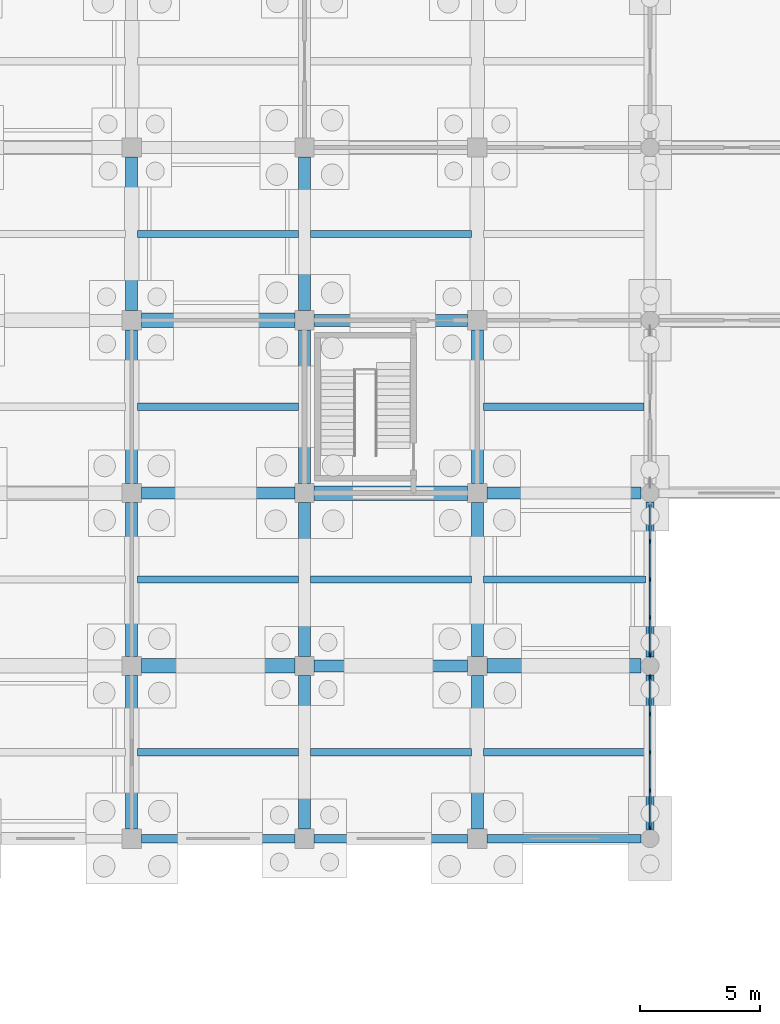
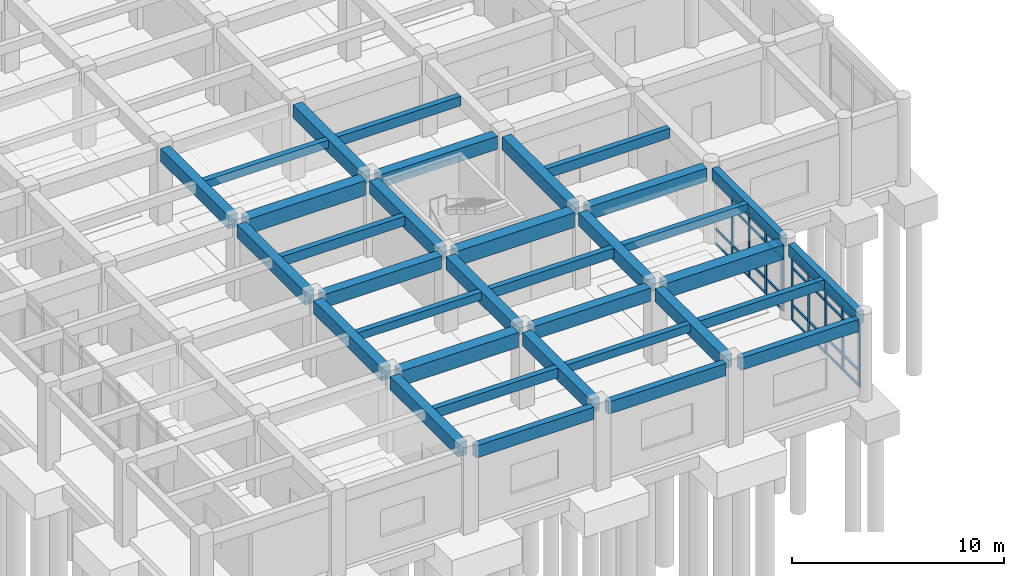
# One storey, part 37 of 79: 39 members, 34 beams, 2 elements without a shape of their own.
"""IFC4 building model written with IfcOpenShell, lengths in metres."""

from ifc_helpers import new_model, si_unit, direction, frame, origin, origin_2d, place, context, subcontext, project, spatial, rectangle, extrude, material, layer, layer_set, material_profile, profile_set, type_object, element, aggregate, save


model = new_model("IFC4")

# Units and contexts
model_context = context("Model", 3, precision=1e-05, world=origin(), true_north=direction((0.0, 1.0)))
body_context = subcontext(model_context, "Body", "Model", "MODEL_VIEW")
ifc_project = project(units=[si_unit("LENGTHUNIT", "METRE"), si_unit("AREAUNIT", "SQUARE_METRE"), si_unit("VOLUMEUNIT", "CUBIC_METRE"), si_unit("PLANEANGLEUNIT", "RADIAN"), si_unit("MASSUNIT", "GRAM", prefix="KILO")], contexts=[model_context])

# Site, building, storey
site_placement = place(None, origin())
site = spatial("IfcSite", under=ifc_project, at=site_placement, CompositionType="ELEMENT")
building_placement = place(site_placement, origin())
building = spatial("IfcBuilding", under=site, at=building_placement, Name="Kavelor Marine Aquarium", CompositionType="ELEMENT")
storey_placement = place(building_placement, origin())
storey = spatial("IfcBuildingStorey", under=building, at=storey_placement, Name="L00", CompositionType="ELEMENT", Elevation=0.0)

# Beams
ifc_material_1 = material(Name="Concrete C40/50", Category="concrete")
ifc_material_profile_1 = material_profile(ifc_material_1, rectangle(XDim=0.60009765625, YDim=0.85009765625, at=origin_2d()), Name="RC-BM 600x850")
ifc_profile_set_1 = profile_set([ifc_material_profile_1], Name="Concrete C40/50")
beam_type_1 = type_object("IfcBeamType", Name="BM-B1", PredefinedType="BEAM", material=ifc_profile_set_1)
for number, where, z_axis, x_axis, name in (
    (1, (133.199951171875, 60.39990234375, 3.955078125), (1.0, 0.0, 0.0), (0.0, 1.0, 0.0), "bm:x:L00:L01:18_08"),
    (2, (133.199951171875, 74.800048828125, 3.955078125), (1.0, 0.0, 0.0), (0.0, 1.0, 0.0), "bm:x:L00:L01:18_10"),
    (3, (140.39990234375, 67.60009765625, 3.955078125), (1.0, 0.0, 0.0), (0.0, 1.0, 0.0), "bm:x:L00:L01:19_09"),
):
    element("IfcBeam", number, at=place(storey_placement, frame(where, z_axis=z_axis, x_axis=x_axis)), inside=storey, type_object=beam_type_1, Name=name, PredefinedType="BEAM", context=body_context, shape_type="SweptSolid", body=[
        extrude(rectangle(XDim=0.60009765625, YDim=0.85009765625, at=origin_2d()), origin(), (0.0, 0.0, 1.0), 6.400146484375),
    ])
beam_1_placement = place(storey_placement, frame((147.60009765625, 60.39990234375, 3.955078125), z_axis=(1.0, 0.0, 0.0), x_axis=(0.0, 1.0, 0.0)))
element("IfcBeam", 4, at=beam_1_placement, inside=storey, type_object=beam_type_1, Name="bm:x:L00:L01:20_08", PredefinedType="BEAM", context=body_context, shape_type="SweptSolid", body=[
    extrude(rectangle(XDim=0.60009765625, YDim=0.85009765625, at=origin_2d()), origin(), (0.0, 0.0, 1.0), 6.4248046875),
])
ifc_material_2 = material(Name="Concrete C40/50", Category="concrete")
ifc_material_profile_2 = material_profile(ifc_material_2, rectangle(XDim=0.5, YDim=0.75, at=origin_2d()), Name="RC-BM 500x750")
ifc_profile_set_2 = profile_set([ifc_material_profile_2], Name="Concrete C40/50")
beam_type_2 = type_object("IfcBeamType", Name="BM-B2", PredefinedType="BEAM", material=ifc_profile_set_2)
for number, where, z_axis, x_axis, name in (
    (5, (133.199951171875, 67.60009765625, 4.0048828125), (1.0, 0.0, 0.0), (0.0, 1.0, 0.0), "bm:x:L00:L01:18_09"),
    (6, (140.39990234375, 60.39990234375, 4.0048828125), (1.0, 0.0, 0.0), (0.0, 1.0, 0.0), "bm:x:L00:L01:19_08"),
    (7, (140.39990234375, 74.800048828125, 4.0048828125), (1.0, 0.0, 0.0), (0.0, 1.0, 0.0), "bm:x:L00:L01:19_10"),
):
    element("IfcBeam", number, at=place(storey_placement, frame(where, z_axis=z_axis, x_axis=x_axis)), inside=storey, type_object=beam_type_2, Name=name, PredefinedType="BEAM", context=body_context, shape_type="SweptSolid", body=[
        extrude(rectangle(XDim=0.5, YDim=0.75, at=origin_2d()), origin(), (0.0, 0.0, 1.0), 6.400146484375),
    ])
beam_2_placement = place(storey_placement, frame((147.60009765625, 67.60009765625, 4.0048828125), z_axis=(1.0, 0.0, 0.0), x_axis=(0.0, 1.0, 0.0)))
element("IfcBeam", 8, at=beam_2_placement, inside=storey, type_object=beam_type_2, Name="bm:x:L00:L01:20_09", PredefinedType="BEAM", context=body_context, shape_type="SweptSolid", body=[
    extrude(rectangle(XDim=0.5, YDim=0.75, at=origin_2d()), origin(), (0.0, 0.0, 1.0), 6.4248046875),
])
for number, where, z_axis, x_axis, name in (
    (9, (132.800048828125, 53.60009765625, 4.0048828125), (0.0, 1.0, 0.0), (-1.0, 0.0, 0.0), "bm:y:L00:L01:18_07"),
    (10, (132.800048828125, 60.800048828125, 4.0048828125), (0.0, 1.0, 0.0), (-1.0, 0.0, 0.0), "bm:y:L00:L01:18_08"),
    (11, (132.800048828125, 68.0, 4.0048828125), (0.0, 1.0, 0.0), (-1.0, 0.0, 0.0), "bm:y:L00:L01:18_09"),
):
    element("IfcBeam", number, at=place(storey_placement, frame(where, z_axis=z_axis, x_axis=x_axis)), inside=storey, type_object=beam_type_2, Name=name, PredefinedType="BEAM", context=body_context, shape_type="SweptSolid", body=[
        extrude(rectangle(XDim=0.5, YDim=0.75, at=origin_2d()), origin(), (0.0, 0.0, 1.0), 6.39990234375),
    ])
beam_3_placement = place(storey_placement, frame((132.800048828125, 75.199951171875, 4.0048828125), z_axis=(0.0, 1.0, 0.0), x_axis=(-1.0, 0.0, 0.0)))
element("IfcBeam", 12, at=beam_3_placement, inside=storey, type_object=beam_type_2, Name="bm:y:L00:L01:18_10", PredefinedType="BEAM", context=body_context, shape_type="SweptSolid", body=[
    extrude(rectangle(XDim=0.5, YDim=0.75, at=origin_2d()), origin(), (0.0, 0.0, 1.0), 6.400146484375),
])
for number, where, z_axis, x_axis, name in (
    (13, (140.0, 53.60009765625, 4.0048828125), (0.0, 1.0, 0.0), (-1.0, 0.0, 0.0), "bm:y:L00:L01:19_07"),
    (14, (140.0, 60.800048828125, 4.0048828125), (0.0, 1.0, 0.0), (-1.0, 0.0, 0.0), "bm:y:L00:L01:19_08"),
    (15, (140.0, 68.0, 4.0048828125), (0.0, 1.0, 0.0), (-1.0, 0.0, 0.0), "bm:y:L00:L01:19_09"),
):
    element("IfcBeam", number, at=place(storey_placement, frame(where, z_axis=z_axis, x_axis=x_axis)), inside=storey, type_object=beam_type_2, Name=name, PredefinedType="BEAM", context=body_context, shape_type="SweptSolid", body=[
        extrude(rectangle(XDim=0.5, YDim=0.75, at=origin_2d()), origin(), (0.0, 0.0, 1.0), 6.39990234375),
    ])
beam_4_placement = place(storey_placement, frame((140.0, 75.199951171875, 4.0048828125), z_axis=(0.0, 1.0, 0.0), x_axis=(-1.0, 0.0, 0.0)))
element("IfcBeam", 16, at=beam_4_placement, inside=storey, type_object=beam_type_2, Name="bm:y:L00:L01:19_10", PredefinedType="BEAM", context=body_context, shape_type="SweptSolid", body=[
    extrude(rectangle(XDim=0.5, YDim=0.75, at=origin_2d()), origin(), (0.0, 0.0, 1.0), 6.400146484375),
])
for number, where, z_axis, x_axis, name in (
    (17, (147.199951171875, 53.60009765625, 4.0048828125), (0.0, 1.0, 0.0), (-1.0, 0.0, 0.0), "bm:y:L00:L01:20_07"),
    (18, (147.199951171875, 60.800048828125, 4.0048828125), (0.0, 1.0, 0.0), (-1.0, 0.0, 0.0), "bm:y:L00:L01:20_08"),
    (19, (147.199951171875, 68.0, 4.0048828125), (0.0, 1.0, 0.0), (-1.0, 0.0, 0.0), "bm:y:L00:L01:20_09"),
):
    element("IfcBeam", number, at=place(storey_placement, frame(where, z_axis=z_axis, x_axis=x_axis)), inside=storey, type_object=beam_type_2, Name=name, PredefinedType="BEAM", context=body_context, shape_type="SweptSolid", body=[
        extrude(rectangle(XDim=0.5, YDim=0.75, at=origin_2d()), origin(), (0.0, 0.0, 1.0), 6.39990234375),
    ])
ifc_material_3 = material(Name="Concrete C40/50", Category="concrete")
ifc_material_profile_3 = material_profile(ifc_material_3, rectangle(XDim=0.300048828125, YDim=0.449951171875, at=origin_2d()), Name="RC-JS 300x450")
ifc_profile_set_3 = profile_set([ifc_material_profile_3], Name="Concrete C40/50")
beam_type_3 = type_object("IfcBeamType", Name="BM-JS1", PredefinedType="JOIST", material=ifc_profile_set_3)
for number, where, z_axis, x_axis, name in (
    (20, (133.050048828125, 64.0, 4.155029296875), (1.0, 0.0, 0.0), (0.0, 1.0, 0.0), "js:L00:L01:18_08"),
    (21, (133.050048828125, 78.39990234375, 4.155029296875), (1.0, 0.0, 0.0), (0.0, 1.0, 0.0), "js:L00:L01:18_10"),
    (22, (140.25, 56.800048828125, 4.155029296875), (1.0, 0.0, 0.0), (0.0, 1.0, 0.0), "js:L00:L01:19_07"),
):
    element("IfcBeam", number, at=place(storey_placement, frame(where, z_axis=z_axis, x_axis=x_axis)), inside=storey, type_object=beam_type_3, Name=name, PredefinedType="JOIST", context=body_context, shape_type="SweptSolid", body=[
        extrude(rectangle(XDim=0.300048828125, YDim=0.449951171875, at=origin_2d()), origin(), (0.0, 0.0, 1.0), 6.699951171875),
    ])
beam_5_placement = place(storey_placement, frame((147.449951171875, 64.0, 4.155029296875), z_axis=(1.0, 0.0, 0.0), x_axis=(0.0, 1.0, 0.0)))
element("IfcBeam", 23, at=beam_5_placement, inside=storey, type_object=beam_type_3, Name="js:L00:L01:20_08", PredefinedType="JOIST", context=body_context, shape_type="SweptSolid", body=[
    extrude(rectangle(XDim=0.300048828125, YDim=0.449951171875, at=origin_2d()), origin(), (0.0, 0.0, 1.0), 6.775146484375),
])
ifc_material_4 = material(Name="Concrete C40/50", Category="concrete")
ifc_material_profile_4 = material_profile(ifc_material_4, rectangle(XDim=0.300048828125, YDim=0.550048828125, at=origin_2d()), Name="RC-JS 300x550")
ifc_profile_set_4 = profile_set([ifc_material_profile_4], Name="Concrete C40/50")
beam_type_4 = type_object("IfcBeamType", Name="BM-JS2", PredefinedType="JOIST", material=ifc_profile_set_4)
for number, where, z_axis, x_axis, name in (
    (24, (133.050048828125, 56.800048828125, 4.10498046875), (1.0, 0.0, 0.0), (0.0, 1.0, 0.0), "js:L00:L01:18_07"),
    (25, (133.050048828125, 71.199951171875, 4.10498046875), (1.0, 0.0, 0.0), (0.0, 1.0, 0.0), "js:L00:L01:18_09"),
    (26, (140.25, 64.0, 4.10498046875), (1.0, 0.0, 0.0), (0.0, 1.0, 0.0), "js:L00:L01:19_08"),
    (27, (140.25, 78.39990234375, 4.10498046875), (1.0, 0.0, 0.0), (0.0, 1.0, 0.0), "js:L00:L01:19_10"),
):
    element("IfcBeam", number, at=place(storey_placement, frame(where, z_axis=z_axis, x_axis=x_axis)), inside=storey, type_object=beam_type_4, Name=name, PredefinedType="JOIST", context=body_context, shape_type="SweptSolid", body=[
        extrude(rectangle(XDim=0.300048828125, YDim=0.550048828125, at=origin_2d()), origin(), (0.0, 0.0, 1.0), 6.699951171875),
    ])
beam_6_placement = place(storey_placement, frame((147.449951171875, 56.800048828125, 4.10498046875), z_axis=(1.0, 0.0, 0.0), x_axis=(0.0, 1.0, 0.0)))
element("IfcBeam", 28, at=beam_6_placement, inside=storey, type_object=beam_type_4, Name="js:L00:L01:20_07", PredefinedType="JOIST", context=body_context, shape_type="SweptSolid", body=[
    extrude(rectangle(XDim=0.300048828125, YDim=0.550048828125, at=origin_2d()), origin(), (0.0, 0.0, 1.0), 6.775146484375),
])
beam_7_placement = place(storey_placement, frame((147.449951171875, 71.199951171875, 4.10498046875), z_axis=(1.0, 0.0, 0.0), x_axis=(0.0, 1.0, 0.0)))
element("IfcBeam", 29, at=beam_7_placement, inside=storey, type_object=beam_type_4, Name="js:L00:L01:20_09", PredefinedType="JOIST", context=body_context, shape_type="SweptSolid", body=[
    extrude(rectangle(XDim=0.300048828125, YDim=0.550048828125, at=origin_2d()), origin(), (0.0, 0.0, 1.0), 6.699951171875),
])
ifc_material_5 = material(Name="Concrete C40/50", Category="concrete")
ifc_material_profile_5 = material_profile(ifc_material_5, rectangle(XDim=0.35009765625, YDim=0.699951171875, at=origin_2d()), Name="RC-SP 350x700")
ifc_profile_set_5 = profile_set([ifc_material_profile_5], Name="Concrete C40/50")
beam_type_5 = type_object("IfcBeamType", Name="BM-SP1", PredefinedType="SPANDREL", material=ifc_profile_set_5)
for number, where, z_axis, x_axis, name in (
    (30, (133.199951171875, 53.199951171875, 4.030029296875), (1.0, 0.0, 0.0), (0.0, 1.0, 0.0), "bm:x:L00:L01:18_07"),
    (31, (140.39990234375, 53.199951171875, 4.030029296875), (1.0, 0.0, 0.0), (0.0, 1.0, 0.0), "bm:x:L00:L01:19_07"),
):
    element("IfcBeam", number, at=place(storey_placement, frame(where, z_axis=z_axis, x_axis=x_axis)), inside=storey, type_object=beam_type_5, Name=name, PredefinedType="SPANDREL", context=body_context, shape_type="SweptSolid", body=[
        extrude(rectangle(XDim=0.35009765625, YDim=0.699951171875, at=origin_2d()), origin(), (0.0, 0.0, 1.0), 6.400146484375),
    ])
beam_8_placement = place(storey_placement, frame((147.60009765625, 53.199951171875, 4.030029296875), z_axis=(1.0, 0.0, 0.0), x_axis=(0.0, 1.0, 0.0)))
element("IfcBeam", 32, at=beam_8_placement, inside=storey, type_object=beam_type_5, Name="bm:x:L00:L01:20_07", PredefinedType="SPANDREL", context=body_context, shape_type="SweptSolid", body=[
    extrude(rectangle(XDim=0.35009765625, YDim=0.699951171875, at=origin_2d()), origin(), (0.0, 0.0, 1.0), 6.4248046875),
])
beam_9_placement = place(storey_placement, frame((154.39990234375, 53.574951171875, 4.030029296875), z_axis=(0.0, 1.0, 0.0), x_axis=(-1.0, 0.0, 0.0)))
element("IfcBeam", 33, at=beam_9_placement, inside=storey, type_object=beam_type_5, Name="bm:y:L00:L01:21_07", PredefinedType="SPANDREL", context=body_context, shape_type="SweptSolid", body=[
    extrude(rectangle(XDim=0.35009765625, YDim=0.699951171875, at=origin_2d()), origin(), (0.0, 0.0, 1.0), 6.449951171875),
])
beam_10_placement = place(storey_placement, frame((154.39990234375, 60.77490234375, 4.030029296875), z_axis=(0.0, 1.0, 0.0), x_axis=(-1.0, 0.0, 0.0)))
element("IfcBeam", 34, at=beam_10_placement, inside=storey, type_object=beam_type_5, Name="bm:y:L00:L01:21_08", PredefinedType="SPANDREL", context=body_context, shape_type="SweptSolid", body=[
    extrude(rectangle(XDim=0.35009765625, YDim=0.699951171875, at=origin_2d()), origin(), (0.0, 0.0, 1.0), 6.4501953125),
])

# Curtain wall, members
ifc_material_6 = material(Name="Thermally Broken Aluminium and Low-E Glass", Category="aluminium")
ifc_layer_1 = layer(ifc_material_6, 0.243896484375)
ifc_layer_set_1 = layer_set([ifc_layer_1], Name="CW-SYS13")
curtain_wall_type_1 = type_object("IfcCurtainWallType", Name="CW-SYS13", PredefinedType="USERDEFINED", material=ifc_layer_set_1)
curtain_wall_1_placement = place(storey_placement, origin())
curtain_wall_1 = element("IfcCurtainWall", 35, at=curtain_wall_1_placement, inside=storey, type_object=curtain_wall_type_1, Name="cw:y:L00:21_07", ObjectType="Curtain Wall", PredefinedType="USERDEFINED")
ifc_material_7 = material(Name="Anodised Aluminium Alloy 6063-T6", Category="aluminium")
ifc_material_profile_6 = material_profile(ifc_material_7, rectangle(XDim=0.074951171875, YDim=0.179931640625, at=origin_2d()), Name="CW-MUL 75x180")
ifc_profile_set_6 = profile_set([ifc_material_profile_6], Name="Anodised Aluminium Alloy 6063-T6")
member_type_1 = type_object("IfcMemberType", Name="CWM-1", PredefinedType="MULLION", material=ifc_profile_set_6)
member_1_placement = place(storey_placement, frame((154.39990234375, 53.657470703125, 0.0), z_axis=(0.0, 0.0, 1.0), x_axis=(-1.0, 0.0, 0.0)))
member_1 = element("IfcMember", 36, at=member_1_placement, type_object=member_type_1, Name="CW13 mullion 1", PredefinedType="MULLION", context=body_context, shape_type="SweptSolid", body=[
    extrude(rectangle(XDim=0.074951171875, YDim=0.179931640625, at=origin_2d()), origin(), (0.0, 0.0, 1.0), 3.669921875),
])
member_2_placement = place(storey_placement, frame((154.39990234375, 55.2099609375, 0.0), z_axis=(0.0, 0.0, 1.0), x_axis=(-1.0, 0.0, 0.0)))
member_2 = element("IfcMember", 37, at=member_2_placement, type_object=member_type_1, Name="CW13 mullion 2", PredefinedType="MULLION", context=body_context, shape_type="SweptSolid", body=[
    extrude(rectangle(XDim=0.074951171875, YDim=0.179931640625, at=origin_2d()), origin(), (0.0, 0.0, 1.0), 3.669921875),
])
member_3_placement = place(storey_placement, frame((154.39990234375, 56.800048828125, 0.0), z_axis=(0.0, 0.0, 1.0), x_axis=(-1.0, 0.0, 0.0)))
member_3 = element("IfcMember", 38, at=member_3_placement, type_object=member_type_1, Name="CW13 mullion 3", PredefinedType="MULLION", context=body_context, shape_type="SweptSolid", body=[
    extrude(rectangle(XDim=0.074951171875, YDim=0.179931640625, at=origin_2d()), origin(), (0.0, 0.0, 1.0), 3.669921875),
])
member_4_placement = place(storey_placement, frame((154.39990234375, 58.389892578125, 0.0), z_axis=(0.0, 0.0, 1.0), x_axis=(-1.0, 0.0, 0.0)))
member_4 = element("IfcMember", 39, at=member_4_placement, type_object=member_type_1, Name="CW13 mullion 4", PredefinedType="MULLION", context=body_context, shape_type="SweptSolid", body=[
    extrude(rectangle(XDim=0.074951171875, YDim=0.179931640625, at=origin_2d()), origin(), (0.0, 0.0, 1.0), 3.669921875),
])
member_5_placement = place(storey_placement, frame((154.39990234375, 59.9423828125, 0.0), z_axis=(0.0, 0.0, 1.0), x_axis=(-1.0, 0.0, 0.0)))
member_5 = element("IfcMember", 40, at=member_5_placement, type_object=member_type_1, Name="CW13 mullion 5", PredefinedType="MULLION", context=body_context, shape_type="SweptSolid", body=[
    extrude(rectangle(XDim=0.074951171875, YDim=0.179931640625, at=origin_2d()), origin(), (0.0, 0.0, 1.0), 3.669921875),
])

ifc_material_8 = material(Name="Thermally Broken Aluminium and Low-E Glass", Category="aluminium")
ifc_layer_2 = layer(ifc_material_8, 0.251953125)
ifc_layer_set_2 = layer_set([ifc_layer_2], Name="CW-SYS14")
curtain_wall_type_2 = type_object("IfcCurtainWallType", Name="CW-SYS14", PredefinedType="USERDEFINED", material=ifc_layer_set_2)
curtain_wall_2_placement = place(storey_placement, origin())
curtain_wall_2 = element("IfcCurtainWall", 41, at=curtain_wall_2_placement, inside=storey, type_object=curtain_wall_type_2, Name="cw:y:L00:21_08", ObjectType="Curtain Wall", PredefinedType="USERDEFINED")
ifc_material_9 = material(Name="Anodised Aluminium Alloy 6063-T6", Category="aluminium")
ifc_material_profile_7 = material_profile(ifc_material_9, rectangle(XDim=0.080078125, YDim=0.18505859375, at=origin_2d()), Name="CW-MUL 80x185")
ifc_profile_set_7 = profile_set([ifc_material_profile_7], Name="Anodised Aluminium Alloy 6063-T6")
member_type_2 = type_object("IfcMemberType", Name="CWM-2", PredefinedType="MULLION", material=ifc_profile_set_7)
member_6_placement = place(storey_placement, frame((154.39990234375, 60.8525390625, 0.0), z_axis=(0.0, 0.0, 1.0), x_axis=(-1.0, 0.0, 0.0)))
member_6 = element("IfcMember", 42, at=member_6_placement, type_object=member_type_2, Name="CW14 mullion 1", PredefinedType="MULLION", context=body_context, shape_type="SweptSolid", body=[
    extrude(rectangle(XDim=0.080078125, YDim=0.18505859375, at=origin_2d()), origin(), (0.0, 0.0, 1.0), 3.669921875),
])
member_7_placement = place(storey_placement, frame((154.39990234375, 62.409912109375, 0.0), z_axis=(0.0, 0.0, 1.0), x_axis=(-1.0, 0.0, 0.0)))
member_7 = element("IfcMember", 43, at=member_7_placement, type_object=member_type_2, Name="CW14 mullion 2", PredefinedType="MULLION", context=body_context, shape_type="SweptSolid", body=[
    extrude(rectangle(XDim=0.080078125, YDim=0.18505859375, at=origin_2d()), origin(), (0.0, 0.0, 1.0), 3.669921875),
])
member_8_placement = place(storey_placement, frame((154.39990234375, 64.0, 0.0), z_axis=(0.0, 0.0, 1.0), x_axis=(-1.0, 0.0, 0.0)))
member_8 = element("IfcMember", 44, at=member_8_placement, type_object=member_type_2, Name="CW14 mullion 3", PredefinedType="MULLION", context=body_context, shape_type="SweptSolid", body=[
    extrude(rectangle(XDim=0.080078125, YDim=0.18505859375, at=origin_2d()), origin(), (0.0, 0.0, 1.0), 3.669921875),
])
member_9_placement = place(storey_placement, frame((154.39990234375, 65.590087890625, 0.0), z_axis=(0.0, 0.0, 1.0), x_axis=(-1.0, 0.0, 0.0)))
member_9 = element("IfcMember", 45, at=member_9_placement, type_object=member_type_2, Name="CW14 mullion 4", PredefinedType="MULLION", context=body_context, shape_type="SweptSolid", body=[
    extrude(rectangle(XDim=0.080078125, YDim=0.18505859375, at=origin_2d()), origin(), (0.0, 0.0, 1.0), 3.669921875),
])

# Member
ifc_material_10 = material(Name="Anodised Aluminium Alloy 6063-T6", Category="aluminium")
ifc_material_profile_8 = material_profile(ifc_material_10, rectangle(XDim=0.074951171875, YDim=0.14990234375, at=origin_2d()), Name="CW-TRN 75x150")
ifc_profile_set_8 = profile_set([ifc_material_profile_8], Name="Anodised Aluminium Alloy 6063-T6")
member_type_3 = type_object("IfcMemberType", Name="CWT-1", PredefinedType="USERDEFINED", material=ifc_profile_set_8)
member_10_placement = place(storey_placement, frame((154.39990234375, 53.695068359375, 0.03759765625), z_axis=(0.0, 1.0, 0.0), x_axis=(-1.0, 0.0, 0.0)))
member_10 = element("IfcMember", 46, at=member_10_placement, type_object=member_type_3, Name="CW13 transom 1.1", ObjectType="TRANSOM", PredefinedType="USERDEFINED", context=body_context, shape_type="SweptSolid", body=[
    extrude(rectangle(XDim=0.074951171875, YDim=0.14990234375, at=origin_2d()), origin(), (0.0, 0.0, 1.0), 1.4775390625),
])

member_11_placement = place(storey_placement, frame((154.39990234375, 53.695068359375, 0.89990234375), z_axis=(0.0, 1.0, 0.0), x_axis=(-1.0, 0.0, 0.0)))
member_11 = element("IfcMember", 47, at=member_11_placement, type_object=member_type_3, Name="CW13 transom 1.2", ObjectType="TRANSOM", PredefinedType="USERDEFINED", context=body_context, shape_type="SweptSolid", body=[
    extrude(rectangle(XDim=0.074951171875, YDim=0.14990234375, at=origin_2d()), origin(), (0.0, 0.0, 1.0), 1.4775390625),
])

member_12_placement = place(storey_placement, frame((154.39990234375, 53.695068359375, 3.02001953125), z_axis=(0.0, 1.0, 0.0), x_axis=(-1.0, 0.0, 0.0)))
member_12 = element("IfcMember", 48, at=member_12_placement, type_object=member_type_3, Name="CW13 transom 1.3", ObjectType="TRANSOM", PredefinedType="USERDEFINED", context=body_context, shape_type="SweptSolid", body=[
    extrude(rectangle(XDim=0.074951171875, YDim=0.14990234375, at=origin_2d()), origin(), (0.0, 0.0, 1.0), 1.4775390625),
])

member_13_placement = place(storey_placement, frame((154.39990234375, 53.695068359375, 3.632568359375), z_axis=(0.0, 1.0, 0.0), x_axis=(-1.0, 0.0, 0.0)))
member_13 = element("IfcMember", 49, at=member_13_placement, type_object=member_type_3, Name="CW13 transom 1.4", ObjectType="TRANSOM", PredefinedType="USERDEFINED", context=body_context, shape_type="SweptSolid", body=[
    extrude(rectangle(XDim=0.074951171875, YDim=0.14990234375, at=origin_2d()), origin(), (0.0, 0.0, 1.0), 1.4775390625),
])

member_14_placement = place(storey_placement, frame((154.39990234375, 55.24755859375, 0.03759765625), z_axis=(0.0, 1.0, 0.0), x_axis=(-1.0, 0.0, 0.0)))
member_14 = element("IfcMember", 50, at=member_14_placement, type_object=member_type_3, Name="CW13 transom 2.1", ObjectType="TRANSOM", PredefinedType="USERDEFINED", context=body_context, shape_type="SweptSolid", body=[
    extrude(rectangle(XDim=0.074951171875, YDim=0.14990234375, at=origin_2d()), origin(), (0.0, 0.0, 1.0), 1.514892578125),
])

member_15_placement = place(storey_placement, frame((154.39990234375, 55.24755859375, 0.89990234375), z_axis=(0.0, 1.0, 0.0), x_axis=(-1.0, 0.0, 0.0)))
member_15 = element("IfcMember", 51, at=member_15_placement, type_object=member_type_3, Name="CW13 transom 2.2", ObjectType="TRANSOM", PredefinedType="USERDEFINED", context=body_context, shape_type="SweptSolid", body=[
    extrude(rectangle(XDim=0.074951171875, YDim=0.14990234375, at=origin_2d()), origin(), (0.0, 0.0, 1.0), 1.514892578125),
])

member_16_placement = place(storey_placement, frame((154.39990234375, 55.24755859375, 3.02001953125), z_axis=(0.0, 1.0, 0.0), x_axis=(-1.0, 0.0, 0.0)))
member_16 = element("IfcMember", 52, at=member_16_placement, type_object=member_type_3, Name="CW13 transom 2.3", ObjectType="TRANSOM", PredefinedType="USERDEFINED", context=body_context, shape_type="SweptSolid", body=[
    extrude(rectangle(XDim=0.074951171875, YDim=0.14990234375, at=origin_2d()), origin(), (0.0, 0.0, 1.0), 1.514892578125),
])

member_17_placement = place(storey_placement, frame((154.39990234375, 55.24755859375, 3.632568359375), z_axis=(0.0, 1.0, 0.0), x_axis=(-1.0, 0.0, 0.0)))
member_17 = element("IfcMember", 53, at=member_17_placement, type_object=member_type_3, Name="CW13 transom 2.4", ObjectType="TRANSOM", PredefinedType="USERDEFINED", context=body_context, shape_type="SweptSolid", body=[
    extrude(rectangle(XDim=0.074951171875, YDim=0.14990234375, at=origin_2d()), origin(), (0.0, 0.0, 1.0), 1.514892578125),
])

member_18_placement = place(storey_placement, frame((154.39990234375, 56.83740234375, 0.03759765625), z_axis=(0.0, 1.0, 0.0), x_axis=(-1.0, 0.0, 0.0)))
member_18 = element("IfcMember", 54, at=member_18_placement, type_object=member_type_3, Name="CW13 transom 3.1", ObjectType="TRANSOM", PredefinedType="USERDEFINED", context=body_context, shape_type="SweptSolid", body=[
    extrude(rectangle(XDim=0.074951171875, YDim=0.14990234375, at=origin_2d()), origin(), (0.0, 0.0, 1.0), 1.51513671875),
])

member_19_placement = place(storey_placement, frame((154.39990234375, 56.83740234375, 0.89990234375), z_axis=(0.0, 1.0, 0.0), x_axis=(-1.0, 0.0, 0.0)))
member_19 = element("IfcMember", 55, at=member_19_placement, type_object=member_type_3, Name="CW13 transom 3.2", ObjectType="TRANSOM", PredefinedType="USERDEFINED", context=body_context, shape_type="SweptSolid", body=[
    extrude(rectangle(XDim=0.074951171875, YDim=0.14990234375, at=origin_2d()), origin(), (0.0, 0.0, 1.0), 1.51513671875),
])

member_20_placement = place(storey_placement, frame((154.39990234375, 56.83740234375, 3.02001953125), z_axis=(0.0, 1.0, 0.0), x_axis=(-1.0, 0.0, 0.0)))
member_20 = element("IfcMember", 56, at=member_20_placement, type_object=member_type_3, Name="CW13 transom 3.3", ObjectType="TRANSOM", PredefinedType="USERDEFINED", context=body_context, shape_type="SweptSolid", body=[
    extrude(rectangle(XDim=0.074951171875, YDim=0.14990234375, at=origin_2d()), origin(), (0.0, 0.0, 1.0), 1.51513671875),
])

member_21_placement = place(storey_placement, frame((154.39990234375, 56.83740234375, 3.632568359375), z_axis=(0.0, 1.0, 0.0), x_axis=(-1.0, 0.0, 0.0)))
member_21 = element("IfcMember", 57, at=member_21_placement, type_object=member_type_3, Name="CW13 transom 3.4", ObjectType="TRANSOM", PredefinedType="USERDEFINED", context=body_context, shape_type="SweptSolid", body=[
    extrude(rectangle(XDim=0.074951171875, YDim=0.14990234375, at=origin_2d()), origin(), (0.0, 0.0, 1.0), 1.51513671875),
])

member_22_placement = place(storey_placement, frame((154.39990234375, 58.427490234375, 0.03759765625), z_axis=(0.0, 1.0, 0.0), x_axis=(-1.0, 0.0, 0.0)))
member_22 = element("IfcMember", 58, at=member_22_placement, type_object=member_type_3, Name="CW13 transom 4.1", ObjectType="TRANSOM", PredefinedType="USERDEFINED", context=body_context, shape_type="SweptSolid", body=[
    extrude(rectangle(XDim=0.074951171875, YDim=0.14990234375, at=origin_2d()), origin(), (0.0, 0.0, 1.0), 1.4775390625),
])

member_23_placement = place(storey_placement, frame((154.39990234375, 58.427490234375, 0.89990234375), z_axis=(0.0, 1.0, 0.0), x_axis=(-1.0, 0.0, 0.0)))
member_23 = element("IfcMember", 59, at=member_23_placement, type_object=member_type_3, Name="CW13 transom 4.2", ObjectType="TRANSOM", PredefinedType="USERDEFINED", context=body_context, shape_type="SweptSolid", body=[
    extrude(rectangle(XDim=0.074951171875, YDim=0.14990234375, at=origin_2d()), origin(), (0.0, 0.0, 1.0), 1.4775390625),
])

member_24_placement = place(storey_placement, frame((154.39990234375, 58.427490234375, 3.02001953125), z_axis=(0.0, 1.0, 0.0), x_axis=(-1.0, 0.0, 0.0)))
member_24 = element("IfcMember", 60, at=member_24_placement, type_object=member_type_3, Name="CW13 transom 4.3", ObjectType="TRANSOM", PredefinedType="USERDEFINED", context=body_context, shape_type="SweptSolid", body=[
    extrude(rectangle(XDim=0.074951171875, YDim=0.14990234375, at=origin_2d()), origin(), (0.0, 0.0, 1.0), 1.4775390625),
])

member_25_placement = place(storey_placement, frame((154.39990234375, 58.427490234375, 3.632568359375), z_axis=(0.0, 1.0, 0.0), x_axis=(-1.0, 0.0, 0.0)))
member_25 = element("IfcMember", 61, at=member_25_placement, type_object=member_type_3, Name="CW13 transom 4.4", ObjectType="TRANSOM", PredefinedType="USERDEFINED", context=body_context, shape_type="SweptSolid", body=[
    extrude(rectangle(XDim=0.074951171875, YDim=0.14990234375, at=origin_2d()), origin(), (0.0, 0.0, 1.0), 1.4775390625),
])

aggregate(curtain_wall_1, [member_1, member_2, member_3, member_4, member_5, member_10, member_11, member_12, member_13, member_14, member_15, member_16, member_17, member_18, member_19, member_20, member_21, member_22, member_23, member_24, member_25])

ifc_material_11 = material(Name="Anodised Aluminium Alloy 6063-T6", Category="aluminium")
ifc_material_profile_9 = material_profile(ifc_material_11, rectangle(XDim=0.080078125, YDim=0.155029296875, at=origin_2d()), Name="CW-TRN 80x155")
ifc_profile_set_9 = profile_set([ifc_material_profile_9], Name="Anodised Aluminium Alloy 6063-T6")
member_type_4 = type_object("IfcMemberType", Name="CWT-2", PredefinedType="USERDEFINED", material=ifc_profile_set_9)
member_26_placement = place(storey_placement, frame((154.39990234375, 60.885009765625, 0.032470703125), z_axis=(0.0, 1.0, 0.0), x_axis=(-1.0, 0.0, 0.0)))
member_26 = element("IfcMember", 62, at=member_26_placement, type_object=member_type_4, Name="CW14 transom 1.1", ObjectType="TRANSOM", PredefinedType="USERDEFINED", context=body_context, shape_type="SweptSolid", body=[
    extrude(rectangle(XDim=0.080078125, YDim=0.155029296875, at=origin_2d()), origin(), (0.0, 0.0, 1.0), 1.492431640625),
])

member_27_placement = place(storey_placement, frame((154.39990234375, 60.885009765625, 0.89990234375), z_axis=(0.0, 1.0, 0.0), x_axis=(-1.0, 0.0, 0.0)))
member_27 = element("IfcMember", 63, at=member_27_placement, type_object=member_type_4, Name="CW14 transom 1.2", ObjectType="TRANSOM", PredefinedType="USERDEFINED", context=body_context, shape_type="SweptSolid", body=[
    extrude(rectangle(XDim=0.080078125, YDim=0.155029296875, at=origin_2d()), origin(), (0.0, 0.0, 1.0), 1.492431640625),
])

member_28_placement = place(storey_placement, frame((154.39990234375, 60.885009765625, 3.02001953125), z_axis=(0.0, 1.0, 0.0), x_axis=(-1.0, 0.0, 0.0)))
member_28 = element("IfcMember", 64, at=member_28_placement, type_object=member_type_4, Name="CW14 transom 1.3", ObjectType="TRANSOM", PredefinedType="USERDEFINED", context=body_context, shape_type="SweptSolid", body=[
    extrude(rectangle(XDim=0.080078125, YDim=0.155029296875, at=origin_2d()), origin(), (0.0, 0.0, 1.0), 1.492431640625),
])

member_29_placement = place(storey_placement, frame((154.39990234375, 60.885009765625, 3.637451171875), z_axis=(0.0, 1.0, 0.0), x_axis=(-1.0, 0.0, 0.0)))
member_29 = element("IfcMember", 65, at=member_29_placement, type_object=member_type_4, Name="CW14 transom 1.4", ObjectType="TRANSOM", PredefinedType="USERDEFINED", context=body_context, shape_type="SweptSolid", body=[
    extrude(rectangle(XDim=0.080078125, YDim=0.155029296875, at=origin_2d()), origin(), (0.0, 0.0, 1.0), 1.492431640625),
])

member_30_placement = place(storey_placement, frame((154.39990234375, 62.4423828125, 0.032470703125), z_axis=(0.0, 1.0, 0.0), x_axis=(-1.0, 0.0, 0.0)))
member_30 = element("IfcMember", 66, at=member_30_placement, type_object=member_type_4, Name="CW14 transom 2.1", ObjectType="TRANSOM", PredefinedType="USERDEFINED", context=body_context, shape_type="SweptSolid", body=[
    extrude(rectangle(XDim=0.080078125, YDim=0.155029296875, at=origin_2d()), origin(), (0.0, 0.0, 1.0), 1.525146484375),
])

member_31_placement = place(storey_placement, frame((154.39990234375, 62.4423828125, 0.89990234375), z_axis=(0.0, 1.0, 0.0), x_axis=(-1.0, 0.0, 0.0)))
member_31 = element("IfcMember", 67, at=member_31_placement, type_object=member_type_4, Name="CW14 transom 2.2", ObjectType="TRANSOM", PredefinedType="USERDEFINED", context=body_context, shape_type="SweptSolid", body=[
    extrude(rectangle(XDim=0.080078125, YDim=0.155029296875, at=origin_2d()), origin(), (0.0, 0.0, 1.0), 1.525146484375),
])

member_32_placement = place(storey_placement, frame((154.39990234375, 62.4423828125, 3.02001953125), z_axis=(0.0, 1.0, 0.0), x_axis=(-1.0, 0.0, 0.0)))
member_32 = element("IfcMember", 68, at=member_32_placement, type_object=member_type_4, Name="CW14 transom 2.3", ObjectType="TRANSOM", PredefinedType="USERDEFINED", context=body_context, shape_type="SweptSolid", body=[
    extrude(rectangle(XDim=0.080078125, YDim=0.155029296875, at=origin_2d()), origin(), (0.0, 0.0, 1.0), 1.525146484375),
])

member_33_placement = place(storey_placement, frame((154.39990234375, 62.4423828125, 3.637451171875), z_axis=(0.0, 1.0, 0.0), x_axis=(-1.0, 0.0, 0.0)))
member_33 = element("IfcMember", 69, at=member_33_placement, type_object=member_type_4, Name="CW14 transom 2.4", ObjectType="TRANSOM", PredefinedType="USERDEFINED", context=body_context, shape_type="SweptSolid", body=[
    extrude(rectangle(XDim=0.080078125, YDim=0.155029296875, at=origin_2d()), origin(), (0.0, 0.0, 1.0), 1.525146484375),
])

member_34_placement = place(storey_placement, frame((154.39990234375, 64.032470703125, 0.032470703125), z_axis=(0.0, 1.0, 0.0), x_axis=(-1.0, 0.0, 0.0)))
member_34 = element("IfcMember", 70, at=member_34_placement, type_object=member_type_4, Name="CW14 transom 3.1", ObjectType="TRANSOM", PredefinedType="USERDEFINED", context=body_context, shape_type="SweptSolid", body=[
    extrude(rectangle(XDim=0.080078125, YDim=0.155029296875, at=origin_2d()), origin(), (0.0, 0.0, 1.0), 1.525146484375),
])

member_35_placement = place(storey_placement, frame((154.39990234375, 64.032470703125, 0.89990234375), z_axis=(0.0, 1.0, 0.0), x_axis=(-1.0, 0.0, 0.0)))
member_35 = element("IfcMember", 71, at=member_35_placement, type_object=member_type_4, Name="CW14 transom 3.2", ObjectType="TRANSOM", PredefinedType="USERDEFINED", context=body_context, shape_type="SweptSolid", body=[
    extrude(rectangle(XDim=0.080078125, YDim=0.155029296875, at=origin_2d()), origin(), (0.0, 0.0, 1.0), 1.525146484375),
])

member_36_placement = place(storey_placement, frame((154.39990234375, 64.032470703125, 3.02001953125), z_axis=(0.0, 1.0, 0.0), x_axis=(-1.0, 0.0, 0.0)))
member_36 = element("IfcMember", 72, at=member_36_placement, type_object=member_type_4, Name="CW14 transom 3.3", ObjectType="TRANSOM", PredefinedType="USERDEFINED", context=body_context, shape_type="SweptSolid", body=[
    extrude(rectangle(XDim=0.080078125, YDim=0.155029296875, at=origin_2d()), origin(), (0.0, 0.0, 1.0), 1.525146484375),
])

member_37_placement = place(storey_placement, frame((154.39990234375, 64.032470703125, 3.637451171875), z_axis=(0.0, 1.0, 0.0), x_axis=(-1.0, 0.0, 0.0)))
member_37 = element("IfcMember", 73, at=member_37_placement, type_object=member_type_4, Name="CW14 transom 3.4", ObjectType="TRANSOM", PredefinedType="USERDEFINED", context=body_context, shape_type="SweptSolid", body=[
    extrude(rectangle(XDim=0.080078125, YDim=0.155029296875, at=origin_2d()), origin(), (0.0, 0.0, 1.0), 1.525146484375),
])

member_38_placement = place(storey_placement, frame((154.39990234375, 65.62255859375, 0.032470703125), z_axis=(0.0, 1.0, 0.0), x_axis=(-1.0, 0.0, 0.0)))
member_38 = element("IfcMember", 74, at=member_38_placement, type_object=member_type_4, Name="CW14 transom 4.1", ObjectType="TRANSOM", PredefinedType="USERDEFINED", context=body_context, shape_type="SweptSolid", body=[
    extrude(rectangle(XDim=0.080078125, YDim=0.155029296875, at=origin_2d()), origin(), (0.0, 0.0, 1.0), 1.492431640625),
])

member_39_placement = place(storey_placement, frame((154.39990234375, 65.62255859375, 0.89990234375), z_axis=(0.0, 1.0, 0.0), x_axis=(-1.0, 0.0, 0.0)))
member_39 = element("IfcMember", 75, at=member_39_placement, type_object=member_type_4, Name="CW14 transom 4.2", ObjectType="TRANSOM", PredefinedType="USERDEFINED", context=body_context, shape_type="SweptSolid", body=[
    extrude(rectangle(XDim=0.080078125, YDim=0.155029296875, at=origin_2d()), origin(), (0.0, 0.0, 1.0), 1.492431640625),
])

aggregate(curtain_wall_2, [member_6, member_7, member_8, member_9, member_26, member_27, member_28, member_29, member_30, member_31, member_32, member_33, member_34, member_35, member_36, member_37, member_38, member_39])

save(model, "model.ifc")
